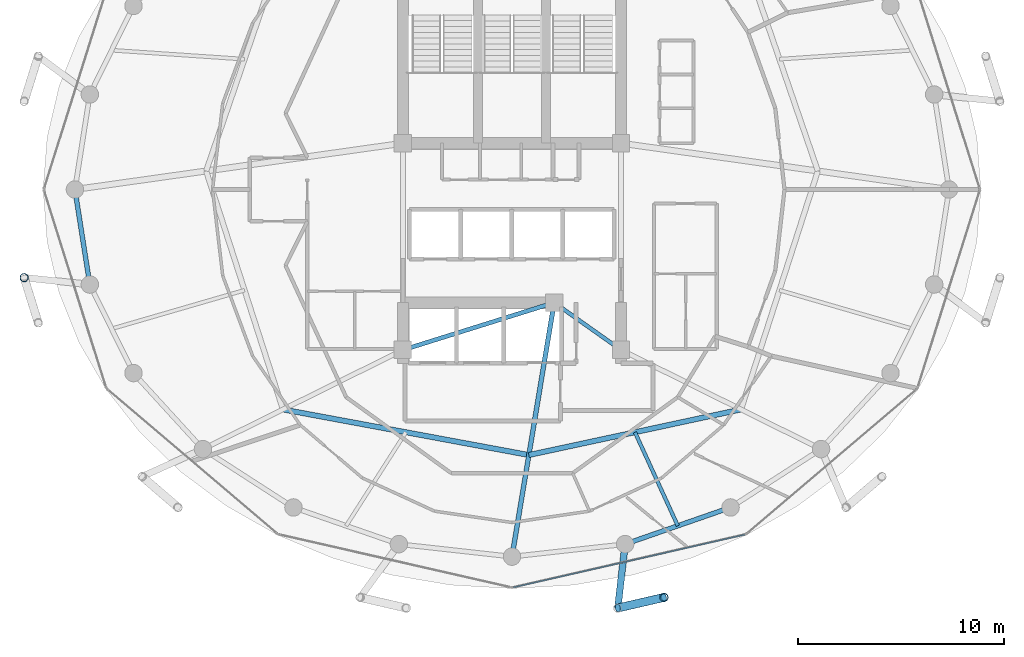
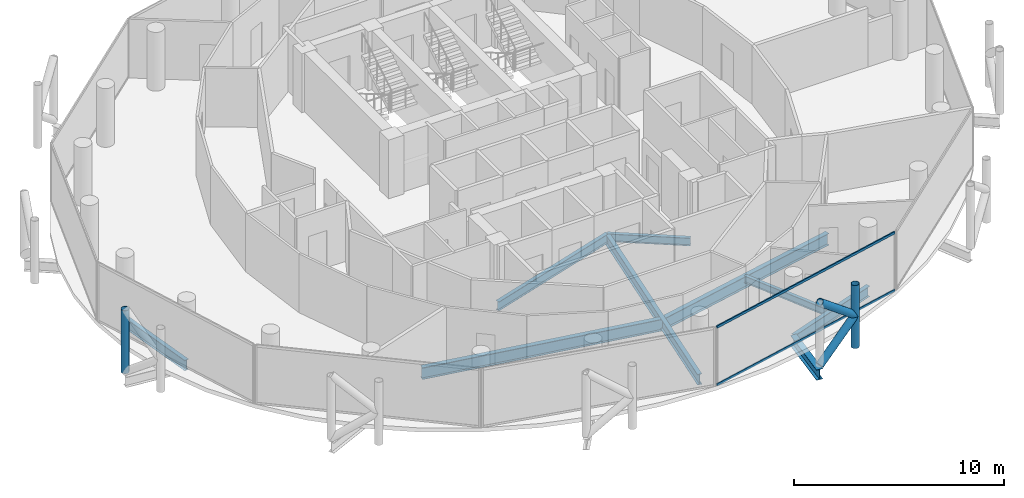
# One storey, part 6 of 27: 9 beams, 6 members, 1 element without a shape of its own.
"""IFC4 building model written with IfcOpenShell, lengths in metres."""

from ifc_helpers import new_model, si_unit, direction, frame, origin, origin_2d, place, context, subcontext, project, spatial, hollow_rectangle, hollow_circle, i_section, extrude, material, layer, layer_set, material_profile, profile_set, type_object, element, aggregate, save


model = new_model("IFC4")

# Units and contexts
model_context = context("Model", 3, precision=1e-05, world=origin(), true_north=direction((0.0, 1.0)))
body_context = subcontext(model_context, "Body", "Model", "MODEL_VIEW")
ifc_project = project(units=[si_unit("LENGTHUNIT", "METRE"), si_unit("AREAUNIT", "SQUARE_METRE"), si_unit("VOLUMEUNIT", "CUBIC_METRE"), si_unit("PLANEANGLEUNIT", "RADIAN"), si_unit("MASSUNIT", "GRAM", prefix="KILO")], contexts=[model_context])

# Site, building, storey
site_placement = place(None, origin())
site = spatial("IfcSite", under=ifc_project, at=site_placement, CompositionType="ELEMENT")
building_placement = place(site_placement, origin())
building = spatial("IfcBuilding", under=site, at=building_placement, Name="Nuhasar Tower", CompositionType="ELEMENT")
storey_placement = place(building_placement, frame((0.0, 0.0, 233.699951171875)))
storey = spatial("IfcBuildingStorey", under=building, at=storey_placement, Name="L57", CompositionType="ELEMENT", Elevation=233.699951171875)

# Beams
ifc_material_1 = material(Name="Steel S355", Category="steel")
ifc_material_profile_1 = material_profile(ifc_material_1, i_section(OverallWidth=0.25390625, OverallDepth=0.68408203125, WebThickness=0.012451171875, FlangeThickness=0.018798828125, at=origin_2d()), Name="W27X94")
ifc_profile_set_1 = profile_set([ifc_material_profile_1], Name="Steel S355")
beam_type_1 = type_object("IfcBeamType", Name="BM-INRING-W27X94", PredefinedType="BEAM", material=ifc_profile_set_1)
beam_1_placement = place(storey_placement, frame((27.864013671875, 16.10693359375, -0.58203125), z_axis=(0.983238439987, -0.182324354193, 0.0), x_axis=(0.182324354193, 0.983238439987, 0.0)))
element("IfcBeam", 1, at=beam_1_placement, inside=storey, type_object=beam_type_1, Name="L57 Inner Header Beam 01", PredefinedType="BEAM", context=body_context, shape_type="SweptSolid", body=[
    extrude(i_section(OverallWidth=0.25390625, OverallDepth=0.68408203125, WebThickness=0.012451171875, FlangeThickness=0.018798828125, at=origin_2d()), origin(), (0.0, 0.0, 1.0), 12.159912109375),
])
beam_2_placement = place(storey_placement, frame((39.820068359375, 13.889892578125, -0.58203125), z_axis=(0.977676275959, 0.210116870876, 0.0), x_axis=(-0.210116870876, 0.977676275959, 0.0)))
element("IfcBeam", 2, at=beam_2_placement, inside=storey, type_object=beam_type_1, Name="L57 Inner Header Beam 02", PredefinedType="BEAM", context=body_context, shape_type="SweptSolid", body=[
    extrude(i_section(OverallWidth=0.25390625, OverallDepth=0.68408203125, WebThickness=0.012451171875, FlangeThickness=0.018798828125, at=origin_2d()), origin(), (0.0, 0.0, 1.0), 10.551513671875),
])
ifc_material_profile_2 = material_profile(ifc_material_1, i_section(OverallWidth=0.177978515625, OverallDepth=0.406005859375, WebThickness=0.0078125, FlangeThickness=0.0126953125, at=origin_2d()), Name="W16X40")
ifc_profile_set_2 = profile_set([ifc_material_profile_2], Name="Steel S355")
beam_type_2 = type_object("IfcBeamType", Name="BM-JST-W16X40", PredefinedType="JOIST", material=ifc_profile_set_2)
beam_3_placement = place(storey_placement, frame((44.97802734375, 14.998046875, -0.44287109375), z_axis=(0.416562288184, -0.909107177434, 0.0), x_axis=(0.909107177434, 0.416562288184, 0.0)))
element("IfcBeam", 3, at=beam_3_placement, inside=storey, type_object=beam_type_2, Name="L57 Secondary Floor Joist 02", PredefinedType="JOIST", context=body_context, shape_type="SweptSolid", body=[
    extrude(i_section(OverallWidth=0.177978515625, OverallDepth=0.406005859375, WebThickness=0.0078125, FlangeThickness=0.0126953125, at=origin_2d()), origin(), (0.0, 0.0, 1.0), 5.0029296875),
])
ifc_material_profile_3 = material_profile(ifc_material_1, i_section(OverallWidth=0.18994140625, OverallDepth=0.45703125, WebThickness=0.009033203125, FlangeThickness=0.014404296875, at=origin_2d()), Name="W18X50")
ifc_profile_set_3 = profile_set([ifc_material_profile_3], Name="Steel S355")
beam_type_3 = type_object("IfcBeamType", Name="BM-RAD-W18X50", PredefinedType="BEAM", material=ifc_profile_set_3)
beam_4_placement = place(storey_placement, frame((41.050048828125, 21.300048828125, -0.468017578125), z_axis=(0.816265428953, -0.577677028708, 0.0), x_axis=(0.577677028708, 0.816265428953, 0.0)))
element("IfcBeam", 4, at=beam_4_placement, inside=storey, type_object=beam_type_3, Name="L57 Core Ring Girder 2", PredefinedType="BEAM", context=body_context, shape_type="SweptSolid", body=[
    extrude(i_section(OverallWidth=0.18994140625, OverallDepth=0.45703125, WebThickness=0.009033203125, FlangeThickness=0.014404296875, at=origin_2d()), origin(), (0.0, 0.0, 1.0), 3.9814453125),
])
ifc_material_profile_4 = material_profile(ifc_material_1, i_section(OverallWidth=0.208984375, OverallDepth=0.528076171875, WebThickness=0.009521484375, FlangeThickness=0.01318359375, at=origin_2d()), Name="W21X55")
ifc_profile_set_4 = profile_set([ifc_material_profile_4], Name="Steel S355")
beam_type_4 = type_object("IfcBeamType", Name="BM-RAD-W21X55", PredefinedType="BEAM", material=ifc_profile_set_4)
beam_5_placement = place(storey_placement, frame((33.699951171875, 19.0, -0.50390625), z_axis=(0.954363709454, 0.298646798205, 0.0), x_axis=(-0.298646798205, 0.954363709454, 0.0)))
element("IfcBeam", 5, at=beam_5_placement, inside=storey, type_object=beam_type_4, Name="L57 Core Ring Girder 1", PredefinedType="BEAM", context=body_context, shape_type="SweptSolid", body=[
    extrude(i_section(OverallWidth=0.208984375, OverallDepth=0.528076171875, WebThickness=0.009521484375, FlangeThickness=0.01318359375, at=origin_2d()), origin(), (0.0, 0.0, 1.0), 7.70166015625),
])
ifc_material_profile_5 = material_profile(ifc_material_1, i_section(OverallWidth=0.22900390625, OverallDepth=0.612060546875, WebThickness=0.011962890625, FlangeThickness=0.01953125, at=origin_2d()), Name="W24X84")
ifc_profile_set_5 = profile_set([ifc_material_profile_5], Name="Steel S355")
beam_type_5 = type_object("IfcBeamType", Name="BM-RAD-W24X84", PredefinedType="BEAM", material=ifc_profile_set_5)
beam_6_placement = place(storey_placement, frame((41.050048828125, 21.300048828125, -0.5458984375), z_axis=(-0.163753822517, -0.98650123447, 0.0), x_axis=(0.98650123447, -0.163753822517, 0.0)))
element("IfcBeam", 6, at=beam_6_placement, inside=storey, type_object=beam_type_5, Name="L57 Radial Floor Girder 02", PredefinedType="BEAM", context=body_context, shape_type="SweptSolid", body=[
    extrude(i_section(OverallWidth=0.22900390625, OverallDepth=0.612060546875, WebThickness=0.011962890625, FlangeThickness=0.01953125, at=origin_2d()), origin(), (0.0, 0.0, 1.0), 12.51904296875),
])
ifc_material_profile_6 = material_profile(ifc_material_1, i_section(OverallWidth=0.22802734375, OverallDepth=0.60791015625, WebThickness=0.01123046875, FlangeThickness=0.017333984375, at=origin_2d()), Name="W24X76")
ifc_profile_set_6 = profile_set([ifc_material_profile_6], Name="Steel S355")
beam_type_6 = type_object("IfcBeamType", Name="BM-RING-W24X76", PredefinedType="SPANDREL", material=ifc_profile_set_6)
beam_7_placement = place(storey_placement, frame((17.75, 26.800048828125, -0.5439453125), z_axis=(0.154841886404, -0.987939264436, 0.0), x_axis=(0.987939264436, 0.154841886404, 0.0)))
element("IfcBeam", 7, at=beam_7_placement, inside=storey, type_object=beam_type_6, Name="L57 Perimeter Ring Spandrel 13", PredefinedType="SPANDREL", context=body_context, shape_type="SweptSolid", body=[
    extrude(i_section(OverallWidth=0.22802734375, OverallDepth=0.60791015625, WebThickness=0.01123046875, FlangeThickness=0.017333984375, at=origin_2d()), origin(), (0.0, 0.0, 1.0), 4.676513671875),
])
beam_8_placement = place(storey_placement, frame((44.5, 9.55810546875, -0.5439453125), z_axis=(0.944476764686, 0.328578211342, 0.0), x_axis=(-0.328578211342, 0.944476764686, 0.0)))
element("IfcBeam", 8, at=beam_8_placement, inside=storey, type_object=beam_type_6, Name="L57 Perimeter Ring Spandrel 20", PredefinedType="SPANDREL", context=body_context, shape_type="SweptSolid", body=[
    extrude(i_section(OverallWidth=0.22802734375, OverallDepth=0.60791015625, WebThickness=0.01123046875, FlangeThickness=0.017333984375, at=origin_2d()), origin(), (0.0, 0.0, 1.0), 5.42626953125),
])
ifc_material_profile_7 = material_profile(ifc_material_1, i_section(OverallWidth=0.323974609375, OverallDepth=0.611083984375, WebThickness=0.0126953125, FlangeThickness=0.01904296875, at=origin_2d()), Name="W24X104")
ifc_profile_set_7 = profile_set([ifc_material_profile_7], Name="Steel S355")
beam_type_7 = type_object("IfcBeamType", Name="BM-TIE-W24X104", PredefinedType="BEAM", material=ifc_profile_set_7)
beam_9_placement = place(storey_placement, frame((44.5, 9.55810546875, -0.544921875), z_axis=(-0.114123371392, -0.993466585297, 0.0), x_axis=(0.993466585297, -0.114123371392, 0.0)))
element("IfcBeam", 9, at=beam_9_placement, inside=storey, type_object=beam_type_7, Name="L57 Exoskeleton Node Tie Beam 10", PredefinedType="BEAM", context=body_context, shape_type="SweptSolid", body=[
    extrude(i_section(OverallWidth=0.323974609375, OverallDepth=0.611083984375, WebThickness=0.0126953125, FlangeThickness=0.01904296875, at=origin_2d()), origin(), (0.0, 0.0, 1.0), 3.127685546875),
])

# Curtain wall, members
ifc_material_2 = material(Name="Aluminium 6063-T6", Category="aluminium")
ifc_layer = layer(ifc_material_2, 0.18994140625)
ifc_layer_set = layer_set([ifc_layer], Name="Aluminium 6063-T6")
curtain_wall_type = type_object("IfcCurtainWallType", Name="CW-Z3-RES", PredefinedType="NOTDEFINED", material=ifc_layer_set)
curtain_wall_placement = place(storey_placement, origin())
curtain_wall = element("IfcCurtainWall", 10, at=curtain_wall_placement, inside=storey, type_object=curtain_wall_type, Name="L57 Unitised Curtain Wall 10", PredefinedType="NOTDEFINED")
ifc_material_profile_8 = material_profile(ifc_material_2, hollow_rectangle(XDim=0.06494140625, YDim=0.139892578125, WallThickness=0.00439453125, at=origin_2d()), Name="CWT-4")
ifc_profile_set_8 = profile_set([ifc_material_profile_8], Name="Aluminium 6063-T6")
member_type_1 = type_object("IfcMemberType", Name="CW-TRN-S4", PredefinedType="USERDEFINED", material=ifc_profile_set_8)
member_1_placement = place(storey_placement, frame((39.0634765625, 7.454345703125, 0.032470703125), z_axis=(0.974989487479, 0.222250982686, 0.0), x_axis=(-0.222250982686, 0.974989487479, 0.0)))
member_1 = element("IfcMember", 11, at=member_1_placement, type_object=member_type_1, Name="CW-Z3 transom 1.1", ObjectType="TRANSOM", PredefinedType="USERDEFINED", context=body_context, shape_type="SweptSolid", body=[
    extrude(hollow_rectangle(XDim=0.06494140625, YDim=0.139892578125, WallThickness=0.00439453125, at=origin_2d()), origin(), (0.0, 0.0, 1.0), 11.541748046875),
])
member_2_placement = place(storey_placement, frame((39.0634765625, 7.454345703125, 3.37744140625), z_axis=(0.974989487479, 0.222250982686, 0.0), x_axis=(-0.222250982686, 0.974989487479, 0.0)))
member_2 = element("IfcMember", 12, at=member_2_placement, type_object=member_type_1, Name="CW-Z3 transom 1.2", ObjectType="TRANSOM", PredefinedType="USERDEFINED", context=body_context, shape_type="SweptSolid", body=[
    extrude(hollow_rectangle(XDim=0.06494140625, YDim=0.139892578125, WallThickness=0.00439453125, at=origin_2d()), origin(), (0.0, 0.0, 1.0), 11.541748046875),
])
aggregate(curtain_wall, [member_1, member_2])

# Members
ifc_material_3 = material(Name="Steel S460", Category="steel")
ifc_material_profile_9 = material_profile(ifc_material_3, hollow_circle(Radius=0.203125, WallThickness=0.01904296875, at=origin_2d()), Name="HSS406.4X19.1")
ifc_profile_set_9 = profile_set([ifc_material_profile_9], Name="Steel S460")
member_type_2 = type_object("IfcMemberType", Name="EXO-BRONZE-406", PredefinedType="BRACE", material=ifc_profile_set_9)
for number, where, z_axis, x_axis, name in (
    (13, (15.281982421875, 22.513916015625, 0.0), (0.0, 0.0, 1.0), (1.0, 0.0, 0.0), "L57 Exoskeleton Chord Column EC-07A"),
    (14, (46.384033203125, 6.967041015625, 0.0), (0.0, 0.0, 1.0), (1.0, 0.0, 0.0), "L57 Exoskeleton Chord Column EC-10B"),
):
    element("IfcMember", number, at=place(storey_placement, frame(where, z_axis=z_axis, x_axis=x_axis)), inside=storey, type_object=member_type_2, Name=name, PredefinedType="BRACE", context=body_context, shape_type="SweptSolid", body=[
        extrude(hollow_circle(Radius=0.203125, WallThickness=0.01904296875, at=origin_2d()), origin(), (0.0, 0.0, 1.0), 3.650146484375),
    ])
member_3_placement = place(storey_placement, frame((44.14306640625, 6.450927734375, 0.0), z_axis=(0.76333158458, 0.175801609086, 0.621625841021), x_axis=(-0.224433035437, 0.97448951385, 0.0)))
element("IfcMember", 15, at=member_3_placement, inside=storey, type_object=member_type_2, Name="L57 Bronze Diagrid Brace W1-10", PredefinedType="BRACE", context=body_context, shape_type="SweptSolid", body=[
    extrude(hollow_circle(Radius=0.203125, WallThickness=0.01904296875, at=origin_2d()), origin(), (0.0, 0.0, 1.0), 2.935791015625),
])
member_4_placement = place(storey_placement, frame((46.384033203125, 6.967041015625, 1.824951171875), z_axis=(-0.763292124721, -0.175792521153, 0.621676862884), x_axis=(0.224433035437, -0.97448951385, 0.0)))
element("IfcMember", 16, at=member_4_placement, inside=storey, type_object=member_type_2, Name="L57 Bronze Diagrid Brace W2-10", PredefinedType="BRACE", context=body_context, shape_type="SweptSolid", body=[
    extrude(hollow_circle(Radius=0.203125, WallThickness=0.01904296875, at=origin_2d()), origin(), (0.0, 0.0, 1.0), 2.93603515625),
])

save(model, "model.ifc")
